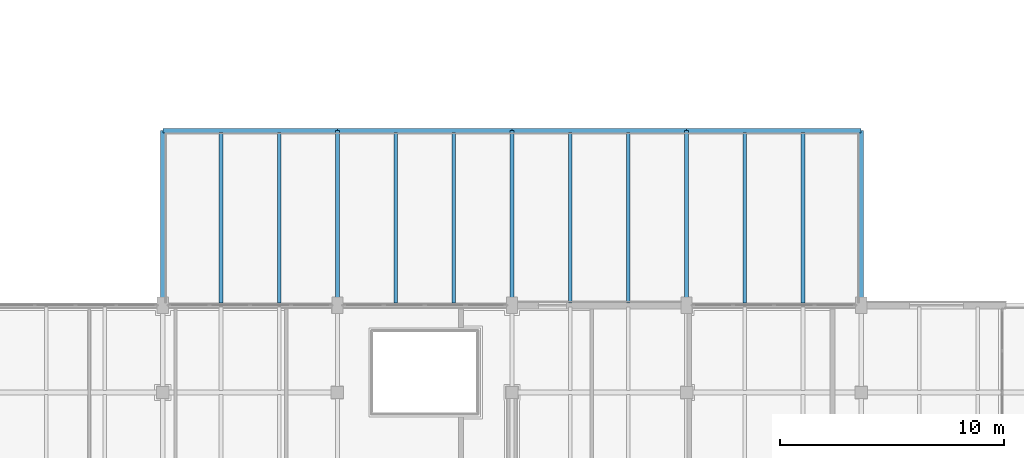
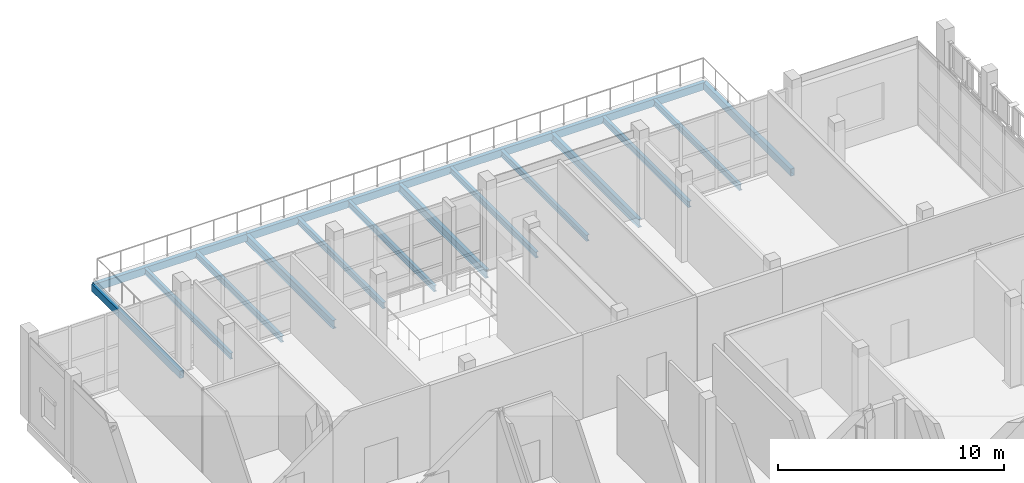
# One storey, part 43 of 138: 17 beams.
"""IFC4 building model written with IfcOpenShell, lengths in metres."""

from ifc_helpers import new_model, si_unit, direction, frame, origin, origin_2d, place, context, subcontext, project, spatial, hollow_rectangle, i_section, extrude, material, material_profile, profile_set, type_object, element, save


model = new_model("IFC4")

# Units and contexts
model_context = context("Model", 3, precision=1e-05, world=origin(), true_north=direction((0.0, 1.0)))
body_context = subcontext(model_context, "Body", "Model", "MODEL_VIEW")
ifc_project = project(units=[si_unit("LENGTHUNIT", "METRE"), si_unit("AREAUNIT", "SQUARE_METRE"), si_unit("VOLUMEUNIT", "CUBIC_METRE"), si_unit("PLANEANGLEUNIT", "RADIAN"), si_unit("MASSUNIT", "GRAM", prefix="KILO")], contexts=[model_context])

# Site, building, storey
site_placement = place(None, origin())
site = spatial("IfcSite", under=ifc_project, at=site_placement, CompositionType="ELEMENT")
building_placement = place(site_placement, origin())
building = spatial("IfcBuilding", under=site, at=building_placement, Name="Celorna Specialist Clinic", CompositionType="ELEMENT")
storey_placement = place(building_placement, frame((0.0, 0.0, 4.800048828125)))
storey = spatial("IfcBuildingStorey", under=building, at=storey_placement, Name="L01", CompositionType="ELEMENT", Elevation=4.800048828125)

# Beams
ifc_material = material(Name="Steel S355", Category="steel")
ifc_material_profile_1 = material_profile(ifc_material, i_section(OverallWidth=0.18994140625, OverallDepth=0.449951171875, WebThickness=0.009521484375, FlangeThickness=0.0146484375, at=origin_2d()), Name="IPE 450")
ifc_profile_set_1 = profile_set([ifc_material_profile_1], Name="Steel S355")
beam_type_1 = type_object("IfcBeamType", Name="BM-09", PredefinedType="BEAM", material=ifc_profile_set_1)
for number, where, z_axis, x_axis, name in (
    (1, (15.60009765625, 62.39990234375, -0.485107421875), (0.0, 1.0, 0.0), (-1.0, 0.0, 0.0), "Transverse girder BM-09 #2205"),
    (2, (23.39990234375, 62.39990234375, -0.485107421875), (0.0, 1.0, 0.0), (-1.0, 0.0, 0.0), "Transverse girder BM-09 #2206"),
    (3, (31.199951171875, 62.39990234375, -0.485107421875), (0.0, 1.0, 0.0), (-1.0, 0.0, 0.0), "Transverse girder BM-09 #2207"),
):
    element("IfcBeam", number, at=place(storey_placement, frame(where, z_axis=z_axis, x_axis=x_axis)), inside=storey, type_object=beam_type_1, Name=name, PredefinedType="BEAM", context=body_context, shape_type="SweptSolid", body=[
        extrude(i_section(OverallWidth=0.18994140625, OverallDepth=0.449951171875, WebThickness=0.009521484375, FlangeThickness=0.0146484375, at=origin_2d()), origin(), (0.0, 0.0, 1.0), 7.800048828125),
    ])
ifc_material_profile_2 = material_profile(ifc_material, i_section(OverallWidth=0.159912109375, OverallDepth=0.330078125, WebThickness=0.007568359375, FlangeThickness=0.011474609375, at=origin_2d()), Name="IPE 330")
ifc_profile_set_2 = profile_set([ifc_material_profile_2], Name="Steel S355")
beam_type_2 = type_object("IfcBeamType", Name="BM-12", PredefinedType="JOIST", material=ifc_profile_set_2)
for number, where, z_axis, x_axis, name in (
    (4, (10.39990234375, 62.488037109375, -0.425048828125), (0.0, 1.0, 0.0), (-1.0, 0.0, 0.0), "Secondary floor joist BM-12 #2209"),
    (5, (13.0, 62.488037109375, -0.425048828125), (0.0, 1.0, 0.0), (-1.0, 0.0, 0.0), "Secondary floor joist BM-12 #2210"),
    (6, (18.199951171875, 62.488037109375, -0.425048828125), (0.0, 1.0, 0.0), (-1.0, 0.0, 0.0), "Secondary floor joist BM-12 #2211"),
    (7, (20.800048828125, 62.488037109375, -0.425048828125), (0.0, 1.0, 0.0), (-1.0, 0.0, 0.0), "Secondary floor joist BM-12 #2212"),
    (8, (26.0, 62.488037109375, -0.425048828125), (0.0, 1.0, 0.0), (-1.0, 0.0, 0.0), "Secondary floor joist BM-12 #2213"),
    (9, (28.60009765625, 62.488037109375, -0.425048828125), (0.0, 1.0, 0.0), (-1.0, 0.0, 0.0), "Secondary floor joist BM-12 #2214"),
    (10, (33.800048828125, 62.488037109375, -0.425048828125), (0.0, 1.0, 0.0), (-1.0, 0.0, 0.0), "Secondary floor joist BM-12 #2215"),
    (11, (36.39990234375, 62.488037109375, -0.425048828125), (0.0, 1.0, 0.0), (-1.0, 0.0, 0.0), "Secondary floor joist BM-12 #2216"),
):
    element("IfcBeam", number, at=place(storey_placement, frame(where, z_axis=z_axis, x_axis=x_axis)), inside=storey, type_object=beam_type_2, Name=name, PredefinedType="JOIST", context=body_context, shape_type="SweptSolid", body=[
        extrude(i_section(OverallWidth=0.159912109375, OverallDepth=0.330078125, WebThickness=0.007568359375, FlangeThickness=0.011474609375, at=origin_2d()), origin(), (0.0, 0.0, 1.0), 7.6240234375),
    ])
ifc_material_profile_3 = material_profile(ifc_material, hollow_rectangle(XDim=0.199951171875, YDim=0.39990234375, WallThickness=0.011962890625, at=origin_2d()), Name="RHS 200x400x12")
ifc_profile_set_3 = profile_set([ifc_material_profile_3], Name="Steel S355")
beam_type_3 = type_object("IfcBeamType", Name="BM-15", PredefinedType="SPANDREL", material=ifc_profile_set_3)
beam_1_placement = place(storey_placement, frame((7.800048828125, 70.199951171875, -0.4599609375), z_axis=(1.0, 0.0, 0.0), x_axis=(0.0, 1.0, 0.0)))
element("IfcBeam", 12, at=beam_1_placement, inside=storey, type_object=beam_type_3, Name="Spandrel beam BM-15 #2200", PredefinedType="SPANDREL", context=body_context, shape_type="SweptSolid", body=[
    extrude(hollow_rectangle(XDim=0.199951171875, YDim=0.39990234375, WallThickness=0.011962890625, at=origin_2d()), origin(), (0.0, 0.0, 1.0), 7.800048828125),
])
beam_2_placement = place(storey_placement, frame((15.60009765625, 70.199951171875, -0.4599609375), z_axis=(1.0, 0.0, 0.0), x_axis=(0.0, 1.0, 0.0)))
element("IfcBeam", 13, at=beam_2_placement, inside=storey, type_object=beam_type_3, Name="Spandrel beam BM-15 #2201", PredefinedType="SPANDREL", context=body_context, shape_type="SweptSolid", body=[
    extrude(hollow_rectangle(XDim=0.199951171875, YDim=0.39990234375, WallThickness=0.011962890625, at=origin_2d()), origin(), (0.0, 0.0, 1.0), 7.7998046875),
])
for number, where, z_axis, x_axis, name in (
    (14, (23.39990234375, 70.199951171875, -0.4599609375), (1.0, 0.0, 0.0), (0.0, 1.0, 0.0), "Spandrel beam BM-15 #2202"),
    (15, (31.199951171875, 70.199951171875, -0.4599609375), (1.0, 0.0, 0.0), (0.0, 1.0, 0.0), "Spandrel beam BM-15 #2203"),
    (16, (7.800048828125, 62.39990234375, -0.4599609375), (0.0, 1.0, 0.0), (-1.0, 0.0, 0.0), "Spandrel beam BM-15 #2204"),
    (17, (39.0, 62.39990234375, -0.4599609375), (0.0, 1.0, 0.0), (-1.0, 0.0, 0.0), "Spandrel beam BM-15 #2208"),
):
    element("IfcBeam", number, at=place(storey_placement, frame(where, z_axis=z_axis, x_axis=x_axis)), inside=storey, type_object=beam_type_3, Name=name, PredefinedType="SPANDREL", context=body_context, shape_type="SweptSolid", body=[
        extrude(hollow_rectangle(XDim=0.199951171875, YDim=0.39990234375, WallThickness=0.011962890625, at=origin_2d()), origin(), (0.0, 0.0, 1.0), 7.800048828125),
    ])

save(model, "model.ifc")
